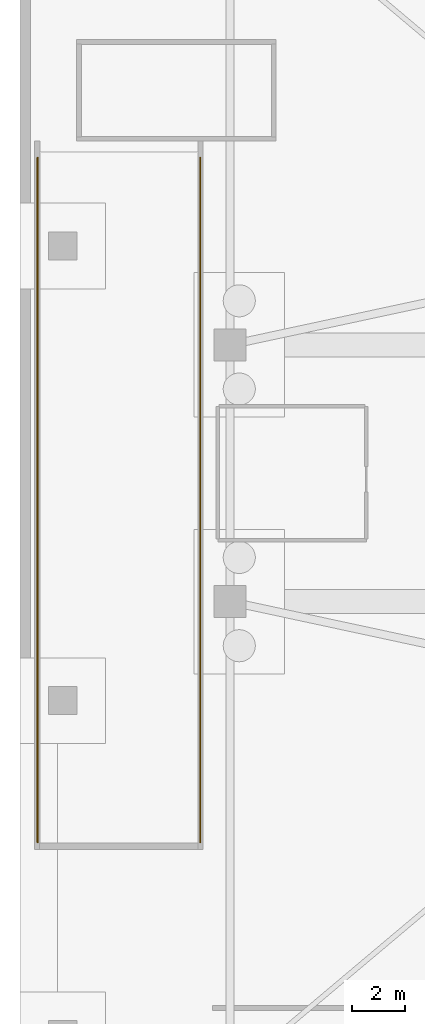
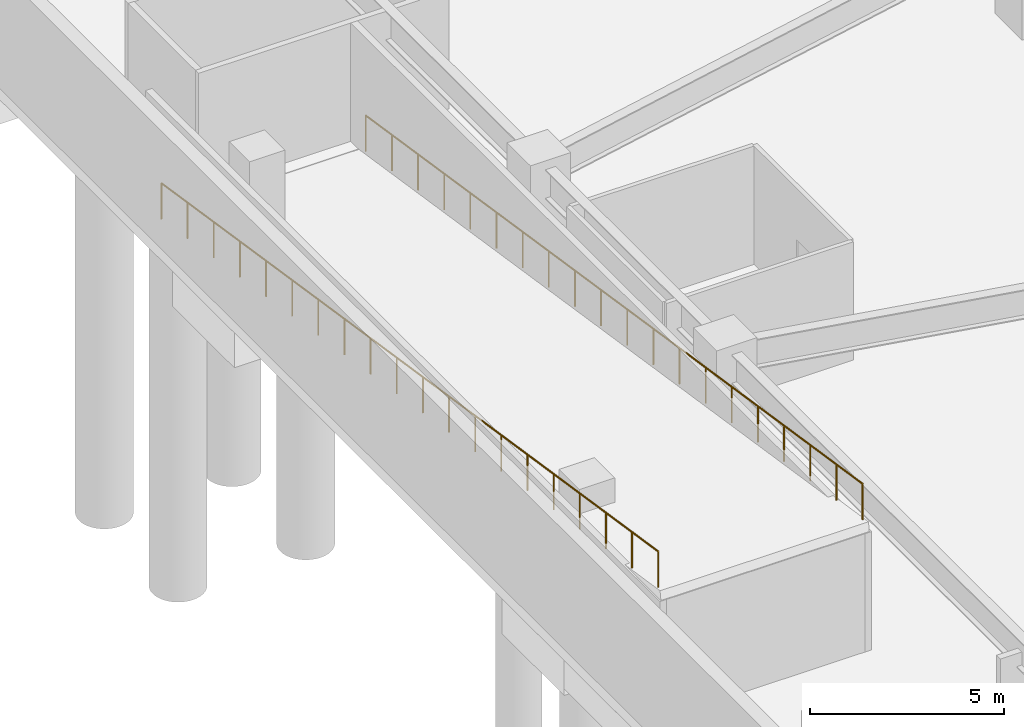
# One storey, part 8 of 10: 2 railings.
"""IFC4 building model written with IfcOpenShell, lengths in metres."""

import ifcopenshell
import ifcopenshell.guid

model = None  # the IFC model being written
_history = None  # IfcOwnerHistory: only IFC2X3 demands one
_inside = {}  # id of a spatial element -> (the spatial element, [elements in it])
_under = {}  # id of a project, library or spatial element -> (it, [spatial elements below it])
_declared = {}  # id of a project -> (the project, [libraries it declares])
_typed = {}  # id of a type object -> (the type object, [elements of that type])
_made_of = {}  # id of a material, layer set ... -> (it, [elements and type objects made of it])


def new_model(schema):
    """Start an empty IFC model of exactly this schema.

    Asked for "IFC4X3", IfcOpenShell would pick the latest addendum, in which some entities
    have other attributes; the version numbers below select the first issue.
    IFC2X3 requires an IfcOwnerHistory on every rooted entity: one is made here for all.
    """
    global model, _history
    if schema == "IFC4X3":
        model = ifcopenshell.file(schema_version=(4, 3, 0, 0))
    else:
        model = ifcopenshell.file(schema=schema)
    _inside.clear()
    _under.clear()
    _declared.clear()
    _typed.clear()
    _made_of.clear()
    _history = None
    if model.schema == "IFC2X3":
        org = make("IfcOrganization", Name="unknown")
        user = make(
            "IfcPersonAndOrganization",
            ThePerson=make("IfcPerson", FamilyName="unknown"),
            TheOrganization=org,
        )
        app = make(
            "IfcApplication",
            ApplicationDeveloper=org,
            Version="unknown",
            ApplicationFullName="unknown",
            ApplicationIdentifier="unknown",
        )
        _history = make(
            "IfcOwnerHistory",
            OwningUser=user,
            OwningApplication=app,
            ChangeAction="ADDED",
            CreationDate=0,
        )
    return model


def make(cls, **values):
    """One entity of the class cls with the attributes given. An attribute that is None is left unset."""
    return model.create_entity(
        cls, **{name: value for name, value in values.items() if value is not None}
    )


def rooted(cls, **values):
    """An entity with a GlobalId (a new one), such as an element, a storey or a relation."""
    return make(cls, GlobalId=ifcopenshell.guid.new(), OwnerHistory=_history, **values)


def si_unit(unit_type, name, prefix=None):
    """IfcSIUnit, for example si_unit("LENGTHUNIT", "METRE", prefix="MILLI")."""
    return make("IfcSIUnit", UnitType=unit_type, Prefix=prefix, Name=name)


def assignment(units):
    """IfcUnitAssignment: the units of a project."""
    return None if units is None else make("IfcUnitAssignment", Units=units)


def point(xyz):
    """IfcCartesianPoint."""
    return None if xyz is None else make("IfcCartesianPoint", Coordinates=xyz)


def direction(xyz):
    """IfcDirection."""
    return None if xyz is None else make("IfcDirection", DirectionRatios=xyz)


def frame(location, z_axis=None, x_axis=None):
    """IfcAxis2Placement3D, a coordinate frame: its origin and axes. An axis left out is left unset."""
    return make(
        "IfcAxis2Placement3D",
        Location=point(location),
        Axis=direction(z_axis),
        RefDirection=direction(x_axis),
    )


def frame_2d(location, x_axis=None):
    """IfcAxis2Placement2D, a coordinate frame in the plane: its origin and x axis."""
    return make(
        "IfcAxis2Placement2D", Location=point(location), RefDirection=direction(x_axis)
    )


def origin():
    """The frame at (0, 0, 0) with its axes left unset."""
    return frame((0.0, 0.0, 0.0))


def origin_2d():
    """The frame at (0, 0) in the plane with its x axis left unset."""
    return frame_2d((0.0, 0.0))


def place(relative_to, where):
    """IfcLocalPlacement: puts the frame where relative to a parent placement (None: the world)."""
    return make(
        "IfcLocalPlacement", PlacementRelTo=relative_to, RelativePlacement=where
    )


def context(
    kind, dimensions, precision=None, world=None, true_north=None, identifier=None
):
    """IfcGeometricRepresentationContext, for example the 3D "Model" context."""
    return make(
        "IfcGeometricRepresentationContext",
        ContextIdentifier=identifier,
        ContextType=kind,
        CoordinateSpaceDimension=dimensions,
        Precision=precision,
        WorldCoordinateSystem=world,
        TrueNorth=true_north,
    )


def subcontext(parent, identifier, kind, view, scale=None):
    """IfcGeometricRepresentationSubContext, for example "Body" below "Model"."""
    return make(
        "IfcGeometricRepresentationSubContext",
        ContextIdentifier=identifier,
        ContextType=kind,
        ParentContext=parent,
        TargetScale=scale,
        TargetView=view,
    )


def project(units=None, contexts=None):
    """IfcProject with its units and contexts."""
    return rooted(
        "IfcProject",
        Name="project",
        RepresentationContexts=contexts,
        UnitsInContext=assignment(units),
    )


def spatial(cls, under=None, at=None, **own):
    """A site, building, storey or space (cls), placed at a placement, below another one or the project."""
    s = rooted(cls, ObjectPlacement=at, **own)
    if under is not None:
        _under.setdefault(under.id(), (under, []))[1].append(s)
    return s


def profile(cls, at=None, kind="AREA", **sizes):
    """A parametric profile (cls). Its sizes go by their IFC names, for example OverallWidth=200.0."""
    return make(cls, ProfileType=kind, Position=at, **sizes)


def circle(**sizes):
    """IfcCircleProfileDef."""
    return profile("IfcCircleProfileDef", **sizes)


def extrude(swept, where, along, depth):
    """IfcExtrudedAreaSolid: the profile swept, set in the frame where, extruded along a direction by depth."""
    return make(
        "IfcExtrudedAreaSolid",
        SweptArea=swept,
        Position=where,
        ExtrudedDirection=direction(along),
        Depth=depth,
    )


def shape(context_of_items, identifier, shape_type, items):
    """IfcShapeRepresentation: the items that make up one representation, for example the "Body"."""
    return make(
        "IfcShapeRepresentation",
        ContextOfItems=context_of_items,
        RepresentationIdentifier=identifier,
        RepresentationType=shape_type,
        Items=items,
    )


def material(Name=None, Category=None):
    """IfcMaterial."""
    return make("IfcMaterial", Name=Name, Category=Category)


def made_of(thing, what):
    """Note that an element or type object is made of a material, layer set ...; save() writes the relation."""
    if what is not None:
        _made_of.setdefault(what.id(), (what, []))[1].append(thing)
    return thing


def type_object(cls, material=None, **own):
    """A type object (cls), such as IfcWallType, which elements share."""
    return made_of(rooted(cls, **own), material)


def element(
    cls,
    number,
    at=None,
    inside=None,
    cuts=None,
    type_object=None,
    material=None,
    context=None,
    identifier="Body",
    shape_type=None,
    held_by="IfcProductDefinitionShape",
    body=None,
    shapes=None,
    **own,
):
    """One element of the class cls, such as IfcWall. Its Tag is "e" and its number.

    at: its placement. inside: the storey or other place that contains it. cuts: it is an
    opening in that element (IfcRelVoidsElement). A single representation is given by context,
    identifier, shape_type and body (its items); several are given by shapes. held_by: the class
    of the entity that holds the representations. save() writes the other relations.
    """
    e = rooted(cls, Tag="e%d" % number, ObjectPlacement=at, **own)
    if body is not None:
        shapes = [shape(context, identifier, shape_type, body)]
    if shapes is not None:
        e.Representation = make(held_by, Representations=shapes)
    if inside is not None:
        _inside.setdefault(inside.id(), (inside, []))[1].append(e)
    if cuts is not None:
        rooted(
            "IfcRelVoidsElement", RelatingBuildingElement=cuts, RelatedOpeningElement=e
        )
    if type_object is not None:
        _typed.setdefault(type_object.id(), (type_object, []))[1].append(e)
    return made_of(e, material)


def aggregate(whole, parts):
    """IfcRelAggregates: a whole, such as a stair, and the parts it consists of."""
    return rooted("IfcRelAggregates", RelatingObject=whole, RelatedObjects=parts)


def save(model, path):
    """Write the relations noted so far, then the file.

    IfcRelAggregates (storeys below a building ...), IfcRelContainedInSpatialStructure (elements
    in a storey), IfcRelDefinesByType, IfcRelAssociatesMaterial and IfcRelDeclares: one each for
    every whole, place, type object, material and project.
    """
    for whole, parts in _under.values():
        aggregate(whole, parts)
    for where, things in _inside.values():
        rooted(
            "IfcRelContainedInSpatialStructure",
            RelatedElements=things,
            RelatingStructure=where,
        )
    for kind, things in _typed.values():
        rooted("IfcRelDefinesByType", RelatedObjects=things, RelatingType=kind)
    for what, things in _made_of.values():
        rooted("IfcRelAssociatesMaterial", RelatedObjects=things, RelatingMaterial=what)
    for by, libraries in _declared.values():
        rooted("IfcRelDeclares", RelatingContext=by, RelatedDefinitions=libraries)
    model.write(path)


model = new_model("IFC4")

# Units and contexts
model_context = context("Model", 3, precision=1e-05, world=origin(), true_north=direction((0.0, 1.0)))
body_context = subcontext(model_context, "Body", "Model", "MODEL_VIEW")
ifc_project = project(units=[si_unit("LENGTHUNIT", "METRE"), si_unit("AREAUNIT", "SQUARE_METRE"), si_unit("VOLUMEUNIT", "CUBIC_METRE"), si_unit("PLANEANGLEUNIT", "RADIAN"), si_unit("MASSUNIT", "GRAM", prefix="KILO")], contexts=[model_context])

# Site, building, storey
site_placement = place(None, origin())
site = spatial("IfcSite", under=ifc_project, at=site_placement, CompositionType="ELEMENT")
building_placement = place(site_placement, origin())
building = spatial("IfcBuilding", under=site, at=building_placement, Name="Cairnveth Concourse Tower", CompositionType="ELEMENT")
storey_placement = place(building_placement, frame((0.0, 0.0, -8.0)))
storey = spatial("IfcBuildingStorey", under=building, at=storey_placement, Name="B02", CompositionType="ELEMENT", Elevation=-8.0)

# Railings
ifc_material = material(Name="Steel Grade 350", Category="steel")
railing_type = type_object("IfcRailingType", Name="STAIR GUARDRAIL 1150", PredefinedType="GUARDRAIL", material=ifc_material)
railing_1_placement = place(storey_placement, frame((19.659912109375, 50.800048828125, 0.030029296875)))
element("IfcRailing", 1, at=railing_1_placement, inside=storey, type_object=railing_type, Name="Ramp B02-B01 West Guardrail", PredefinedType="GUARDRAIL", context=body_context, shape_type="SweptSolid", body=[
    extrude(circle(Radius=0.02490234375, at=origin_2d()), frame((0.0, 0.0, 1.125), z_axis=(0.0, -0.988363196604, 0.152112430781), x_axis=(1.0, 0.0, 0.0)), (0.0, 0.0, 1.0), 25.901611328125),
    extrude(circle(Radius=0.0224609375, at=origin_2d()), origin(), (0.0, 0.0, 1.0), 1.099853515625),
    extrude(circle(Radius=0.0224609375, at=origin_2d()), frame((0.0, -1.347412109375, 0.207275390625)), (0.0, 0.0, 1.0), 1.099853515625),
    extrude(circle(Radius=0.0224609375, at=origin_2d()), frame((0.0, -2.69482421875, 0.414794921875)), (0.0, 0.0, 1.0), 1.099853515625),
    extrude(circle(Radius=0.0224609375, at=origin_2d()), frame((0.0, -4.042236328125, 0.6220703125)), (0.0, 0.0, 1.0), 1.099853515625),
    extrude(circle(Radius=0.0224609375, at=origin_2d()), frame((0.0, -5.389404296875, 0.829345703125)), (0.0, 0.0, 1.0), 1.099853515625),
    extrude(circle(Radius=0.0224609375, at=origin_2d()), frame((0.0, -6.73681640625, 1.036865234375)), (0.0, 0.0, 1.0), 1.099853515625),
    extrude(circle(Radius=0.0224609375, at=origin_2d()), frame((0.0, -8.084228515625, 1.244140625)), (0.0, 0.0, 1.0), 1.099853515625),
    extrude(circle(Radius=0.0224609375, at=origin_2d()), frame((0.0, -9.431640625, 1.45166015625)), (0.0, 0.0, 1.0), 1.099853515625),
    extrude(circle(Radius=0.0224609375, at=origin_2d()), frame((0.0, -10.779052734375, 1.658935546875)), (0.0, 0.0, 1.0), 1.099853515625),
    extrude(circle(Radius=0.0224609375, at=origin_2d()), frame((0.0, -12.12646484375, 1.8662109375)), (0.0, 0.0, 1.0), 1.099853515625),
    extrude(circle(Radius=0.0224609375, at=origin_2d()), frame((0.0, -13.4736328125, 2.07373046875)), (0.0, 0.0, 1.0), 1.099853515625),
    extrude(circle(Radius=0.0224609375, at=origin_2d()), frame((0.0, -14.821044921875, 2.281005859375)), (0.0, 0.0, 1.0), 1.099853515625),
    extrude(circle(Radius=0.0224609375, at=origin_2d()), frame((0.0, -16.16845703125, 2.48828125)), (0.0, 0.0, 1.0), 1.099853515625),
    extrude(circle(Radius=0.0224609375, at=origin_2d()), frame((0.0, -17.515869140625, 2.69580078125)), (0.0, 0.0, 1.0), 1.099853515625),
    extrude(circle(Radius=0.0224609375, at=origin_2d()), frame((0.0, -18.86328125, 2.903076171875)), (0.0, 0.0, 1.0), 1.099853515625),
    extrude(circle(Radius=0.0224609375, at=origin_2d()), frame((0.0, -20.210693359375, 3.110595703125)), (0.0, 0.0, 1.0), 1.099853515625),
    extrude(circle(Radius=0.0224609375, at=origin_2d()), frame((0.0, -21.557861328125, 3.31787109375)), (0.0, 0.0, 1.0), 1.099853515625),
    extrude(circle(Radius=0.0224609375, at=origin_2d()), frame((0.0, -22.9052734375, 3.525146484375)), (0.0, 0.0, 1.0), 1.099853515625),
    extrude(circle(Radius=0.0224609375, at=origin_2d()), frame((0.0, -24.252685546875, 3.732666015625)), (0.0, 0.0, 1.0), 1.099853515625),
    extrude(circle(Radius=0.0224609375, at=origin_2d()), frame((0.0, -25.60009765625, 3.93994140625)), (0.0, 0.0, 1.0), 1.099853515625),
])
railing_2_placement = place(storey_placement, frame((25.739990234375, 50.800048828125, 0.030029296875)))
element("IfcRailing", 2, at=railing_2_placement, inside=storey, type_object=railing_type, Name="Ramp B02-B01 East Guardrail", PredefinedType="GUARDRAIL", context=body_context, shape_type="SweptSolid", body=[
    extrude(circle(Radius=0.02490234375, at=origin_2d()), frame((0.0, 0.0, 1.125), z_axis=(0.0, -0.988363196604, 0.152112430781), x_axis=(1.0, 0.0, 0.0)), (0.0, 0.0, 1.0), 25.901611328125),
    extrude(circle(Radius=0.0224609375, at=origin_2d()), origin(), (0.0, 0.0, 1.0), 1.099853515625),
    extrude(circle(Radius=0.0224609375, at=origin_2d()), frame((0.0, -1.347412109375, 0.207275390625)), (0.0, 0.0, 1.0), 1.099853515625),
    extrude(circle(Radius=0.0224609375, at=origin_2d()), frame((0.0, -2.69482421875, 0.414794921875)), (0.0, 0.0, 1.0), 1.099853515625),
    extrude(circle(Radius=0.0224609375, at=origin_2d()), frame((0.0, -4.042236328125, 0.6220703125)), (0.0, 0.0, 1.0), 1.099853515625),
    extrude(circle(Radius=0.0224609375, at=origin_2d()), frame((0.0, -5.389404296875, 0.829345703125)), (0.0, 0.0, 1.0), 1.099853515625),
    extrude(circle(Radius=0.0224609375, at=origin_2d()), frame((0.0, -6.73681640625, 1.036865234375)), (0.0, 0.0, 1.0), 1.099853515625),
    extrude(circle(Radius=0.0224609375, at=origin_2d()), frame((0.0, -8.084228515625, 1.244140625)), (0.0, 0.0, 1.0), 1.099853515625),
    extrude(circle(Radius=0.0224609375, at=origin_2d()), frame((0.0, -9.431640625, 1.45166015625)), (0.0, 0.0, 1.0), 1.099853515625),
    extrude(circle(Radius=0.0224609375, at=origin_2d()), frame((0.0, -10.779052734375, 1.658935546875)), (0.0, 0.0, 1.0), 1.099853515625),
    extrude(circle(Radius=0.0224609375, at=origin_2d()), frame((0.0, -12.12646484375, 1.8662109375)), (0.0, 0.0, 1.0), 1.099853515625),
    extrude(circle(Radius=0.0224609375, at=origin_2d()), frame((0.0, -13.4736328125, 2.07373046875)), (0.0, 0.0, 1.0), 1.099853515625),
    extrude(circle(Radius=0.0224609375, at=origin_2d()), frame((0.0, -14.821044921875, 2.281005859375)), (0.0, 0.0, 1.0), 1.099853515625),
    extrude(circle(Radius=0.0224609375, at=origin_2d()), frame((0.0, -16.16845703125, 2.48828125)), (0.0, 0.0, 1.0), 1.099853515625),
    extrude(circle(Radius=0.0224609375, at=origin_2d()), frame((0.0, -17.515869140625, 2.69580078125)), (0.0, 0.0, 1.0), 1.099853515625),
    extrude(circle(Radius=0.0224609375, at=origin_2d()), frame((0.0, -18.86328125, 2.903076171875)), (0.0, 0.0, 1.0), 1.099853515625),
    extrude(circle(Radius=0.0224609375, at=origin_2d()), frame((0.0, -20.210693359375, 3.110595703125)), (0.0, 0.0, 1.0), 1.099853515625),
    extrude(circle(Radius=0.0224609375, at=origin_2d()), frame((0.0, -21.557861328125, 3.31787109375)), (0.0, 0.0, 1.0), 1.099853515625),
    extrude(circle(Radius=0.0224609375, at=origin_2d()), frame((0.0, -22.9052734375, 3.525146484375)), (0.0, 0.0, 1.0), 1.099853515625),
    extrude(circle(Radius=0.0224609375, at=origin_2d()), frame((0.0, -24.252685546875, 3.732666015625)), (0.0, 0.0, 1.0), 1.099853515625),
    extrude(circle(Radius=0.0224609375, at=origin_2d()), frame((0.0, -25.60009765625, 3.93994140625)), (0.0, 0.0, 1.0), 1.099853515625),
])

save(model, "model.ifc")
